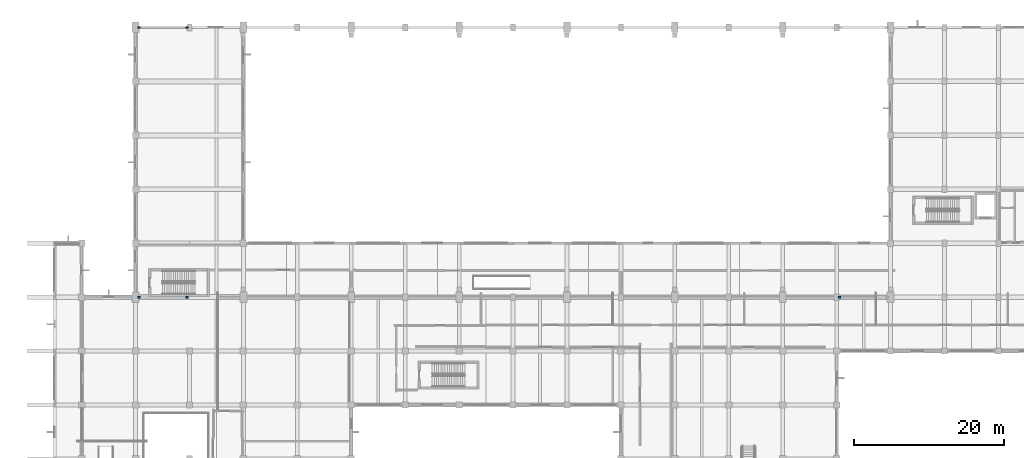
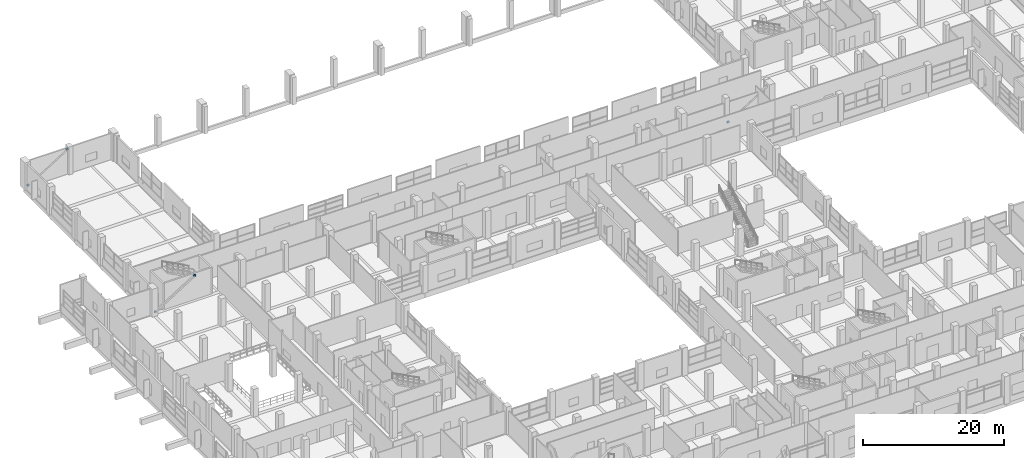
# One storey, part 152 of 181: 5 plates.
"""IFC4 building model written with IfcOpenShell, lengths in metres."""

from ifc_helpers import new_model, si_unit, direction, frame, origin, origin_2d, place, context, subcontext, project, spatial, rectangle, extrude, material, layer, layer_set, type_object, element, save


model = new_model("IFC4")

# Units and contexts
model_context = context("Model", 3, precision=1e-05, world=origin(), true_north=direction((0.0, 1.0)))
body_context = subcontext(model_context, "Body", "Model", "MODEL_VIEW")
ifc_project = project(units=[si_unit("LENGTHUNIT", "METRE"), si_unit("AREAUNIT", "SQUARE_METRE"), si_unit("VOLUMEUNIT", "CUBIC_METRE"), si_unit("PLANEANGLEUNIT", "RADIAN"), si_unit("MASSUNIT", "GRAM", prefix="KILO")], contexts=[model_context])

# Site, building, storey
site_placement = place(None, origin())
site = spatial("IfcSite", under=ifc_project, at=site_placement, CompositionType="ELEMENT")
building_placement = place(site_placement, origin())
building = spatial("IfcBuilding", under=site, at=building_placement, Name="Seraya Terrace Polytechnic", CompositionType="ELEMENT")
storey_placement = place(building_placement, frame((0.0, 0.0, 4.800048828125)))
storey = spatial("IfcBuildingStorey", under=building, at=storey_placement, Name="L01", CompositionType="ELEMENT", Elevation=4.800048828125)

# Plates
ifc_material = material(Name="Steel S355J2", Category="steel")
ifc_layer = layer(ifc_material, 0.300048828125, Name="EP-04")
ifc_layer_set = layer_set([ifc_layer], Name="Steel S355J2")
plate_type = type_object("IfcPlateType", Name="EP-04", PredefinedType="USERDEFINED", material=ifc_layer_set)
for number, where, z_axis, x_axis, name in (
    (1, (14.858154296875, 79.199951171875, 0.095703125), (0.0, 0.0, 1.0), (1.0, 0.0, 0.0), "Hollow end-cap plate VBR-L01-SW start"),
    (2, (21.24169921875, 79.199951171875, 4.10400390625), (0.0, 0.0, 1.0), (1.0, 0.0, 0.0), "Hollow end-cap plate VBR-L01-SW end"),
    (3, (108.358154296875, 79.199951171875, 0.095703125), (0.0, 0.0, 1.0), (1.0, 0.0, 0.0), "Hollow end-cap plate VBR-L01-SE start"),
    (4, (14.858154296875, 115.199951171875, 0.095703125), (0.0, 0.0, 1.0), (1.0, 0.0, 0.0), "Hollow end-cap plate VBR-L01-NW start"),
    (5, (21.24169921875, 115.199951171875, 4.10400390625), (0.0, 0.0, 1.0), (1.0, 0.0, 0.0), "Hollow end-cap plate VBR-L01-NW end"),
):
    element("IfcPlate", number, at=place(storey_placement, frame(where, z_axis=z_axis, x_axis=x_axis)), inside=storey, type_object=plate_type, Name=name, ObjectType="FLANGE_PLATE", PredefinedType="USERDEFINED", context=body_context, shape_type="SweptSolid", body=[
        extrude(rectangle(XDim=0.340087890625, YDim=0.239990234375, at=origin_2d()), origin(), (0.0, 0.0, 1.0), 0.300048828125),
    ])

save(model, "model.ifc")
